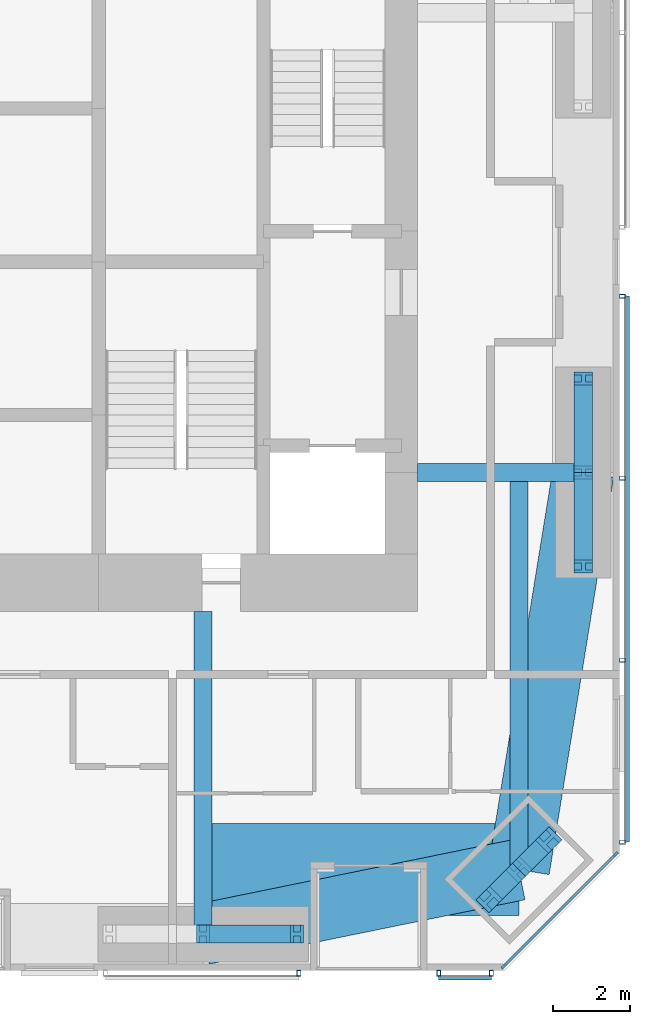
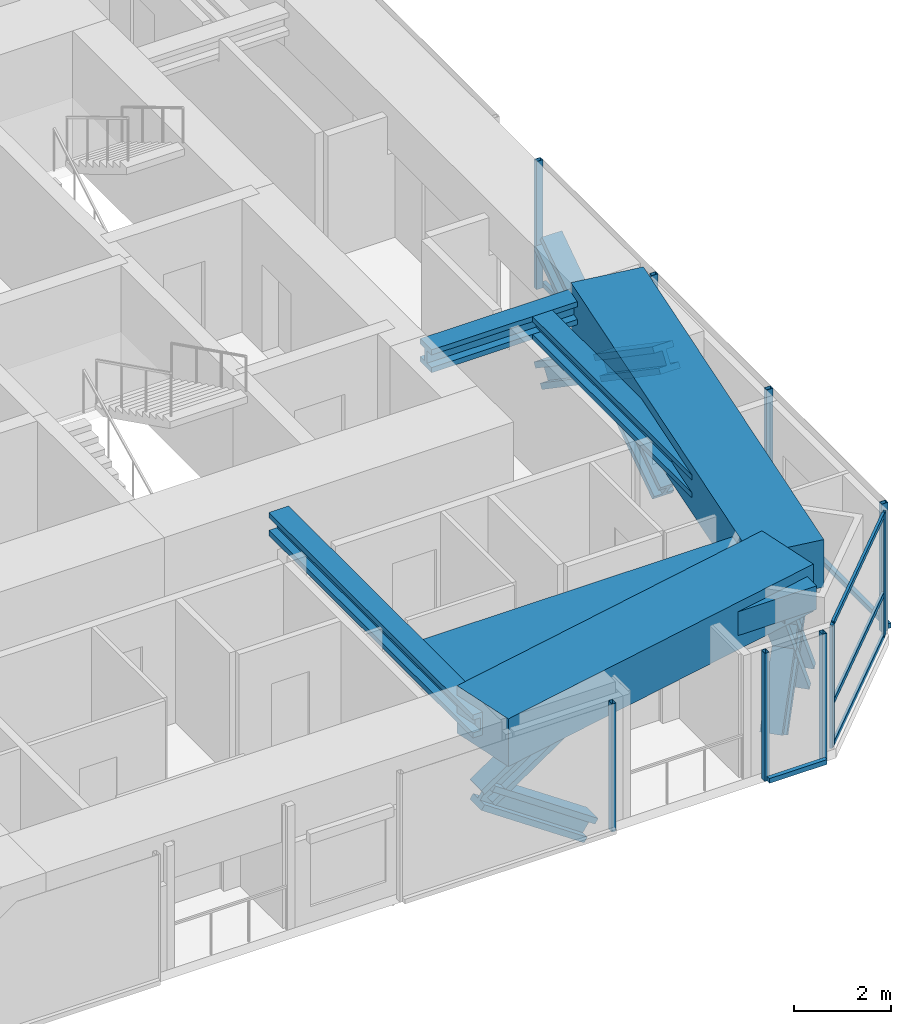
# One storey, part 8 of 23: 24 members, 6 beams, 4 elements without a shape of their own.
"""IFC4 building model written with IfcOpenShell, lengths in metres."""

from ifc_helpers import new_model, si_unit, direction, frame, origin, origin_2d, place, context, subcontext, project, spatial, rectangle, hollow_rectangle, i_section, extrude, material, material_profile, profile_set, type_object, element, aggregate, save


model = new_model("IFC4")

# Units and contexts
model_context = context("Model", 3, precision=1e-05, world=origin(), true_north=direction((0.0, 1.0)))
body_context = subcontext(model_context, "Body", "Model", "MODEL_VIEW")
ifc_project = project(units=[si_unit("LENGTHUNIT", "METRE"), si_unit("AREAUNIT", "SQUARE_METRE"), si_unit("VOLUMEUNIT", "CUBIC_METRE"), si_unit("PLANEANGLEUNIT", "RADIAN"), si_unit("MASSUNIT", "GRAM", prefix="KILO")], contexts=[model_context])

# Site, building, storey
site_placement = place(None, origin())
site = spatial("IfcSite", under=ifc_project, at=site_placement, CompositionType="ELEMENT")
building_placement = place(site_placement, origin())
building = spatial("IfcBuilding", under=site, at=building_placement, Name="Jalousie Tower", CompositionType="ELEMENT")
storey_placement = place(building_placement, frame((0.0, 0.0, 88.10009765625)))
storey = spatial("IfcBuildingStorey", under=building, at=storey_placement, Name="L23", CompositionType="ELEMENT", Elevation=88.10009765625)

# Curtain wall, members
ifc_material_1 = material(Name="Aluminium curtain wall", Category="aluminium")
curtain_wall_type_1 = type_object("IfcCurtainWallType", Name="CORNER WINDOW WALL", PredefinedType="USERDEFINED", material=ifc_material_1)
curtain_wall_1_placement = place(storey_placement, origin())
curtain_wall_1 = element("IfcCurtainWall", 1, at=curtain_wall_1_placement, inside=storey, type_object=curtain_wall_type_1, Name="Corner Window Wall L23 2", ObjectType="CORNER WINDOW WALL", PredefinedType="USERDEFINED")
ifc_material_2 = material(Name="Aluminium mullion", Category="aluminium")
ifc_material_profile_1 = material_profile(ifc_material_2, rectangle(XDim=0.06005859375, YDim=0.14990234375, at=origin_2d()), Name="MULLION 60x150")
ifc_profile_set_1 = profile_set([ifc_material_profile_1], Name="Aluminium mullion")
member_type_1 = type_object("IfcMemberType", Name="CORNER WINDOW WALL MULLION", PredefinedType="MULLION", material=ifc_profile_set_1)
member_1_placement = place(storey_placement, frame((46.469970703125, 0.108642578125, 0.0), z_axis=(0.0, 0.0, 1.0), x_axis=(-0.707106781187, 0.707106781187, 0.0)))
member_1 = element("IfcMember", 2, at=member_1_placement, type_object=member_type_1, Name="CW-C mullion 1", PredefinedType="MULLION", context=body_context, shape_type="SweptSolid", body=[
    extrude(rectangle(XDim=0.06005859375, YDim=0.14990234375, at=origin_2d()), origin(), (0.0, 0.0, 1.0), 3.10986328125),
])
member_2_placement = place(storey_placement, frame((49.391357421875, 3.030029296875, 0.0), z_axis=(0.0, 0.0, 1.0), x_axis=(-0.707106781187, 0.707106781187, 0.0)))
member_2 = element("IfcMember", 3, at=member_2_placement, type_object=member_type_1, Name="CW-C mullion 2", PredefinedType="MULLION", context=body_context, shape_type="SweptSolid", body=[
    extrude(rectangle(XDim=0.06005859375, YDim=0.14990234375, at=origin_2d()), origin(), (0.0, 0.0, 1.0), 3.10986328125),
])
ifc_material_3 = material(Name="Aluminium transom", Category="aluminium")
ifc_material_profile_2 = material_profile(ifc_material_3, rectangle(XDim=0.06005859375, YDim=0.1201171875, at=origin_2d()), Name="TRANSOM 60x120")
ifc_profile_set_2 = profile_set([ifc_material_profile_2], Name="Aluminium transom")
member_type_2 = type_object("IfcMemberType", Name="CORNER WINDOW WALL TRANSOM", PredefinedType="USERDEFINED", material=ifc_profile_set_2)
member_3_placement = place(storey_placement, frame((46.4912109375, 0.1298828125, 0.02978515625), z_axis=(0.707106781187, 0.707106781187, 0.0), x_axis=(-0.707106781187, 0.707106781187, 0.0)))
member_3 = element("IfcMember", 4, at=member_3_placement, type_object=member_type_2, Name="CW-C transom 1.1", ObjectType="TRANSOM", PredefinedType="USERDEFINED", context=body_context, shape_type="SweptSolid", body=[
    extrude(rectangle(XDim=0.06005859375, YDim=0.1201171875, at=origin_2d()), origin(), (0.0, 0.0, 1.0), 4.0712890625),
])
member_4_placement = place(storey_placement, frame((46.4912109375, 0.1298828125, 1.099853515625), z_axis=(0.707106781187, 0.707106781187, 0.0), x_axis=(-0.707106781187, 0.707106781187, 0.0)))
member_4 = element("IfcMember", 5, at=member_4_placement, type_object=member_type_2, Name="CW-C transom 1.2", ObjectType="TRANSOM", PredefinedType="USERDEFINED", context=body_context, shape_type="SweptSolid", body=[
    extrude(rectangle(XDim=0.06005859375, YDim=0.1201171875, at=origin_2d()), origin(), (0.0, 0.0, 1.0), 4.0712890625),
])
member_5_placement = place(storey_placement, frame((46.4912109375, 0.1298828125, 3.079833984375), z_axis=(0.707106781187, 0.707106781187, 0.0), x_axis=(-0.707106781187, 0.707106781187, 0.0)))
member_5 = element("IfcMember", 6, at=member_5_placement, type_object=member_type_2, Name="CW-C transom 1.3", ObjectType="TRANSOM", PredefinedType="USERDEFINED", context=body_context, shape_type="SweptSolid", body=[
    extrude(rectangle(XDim=0.06005859375, YDim=0.1201171875, at=origin_2d()), origin(), (0.0, 0.0, 1.0), 4.0712890625),
])
aggregate(curtain_wall_1, [member_1, member_2, member_3, member_4, member_5])

# Beams
ifc_material_4 = material(Name="Steel ASTM A992 Grade 50", Category="steel")
ifc_material_profile_3 = material_profile(ifc_material_4, i_section(OverallWidth=0.472412109375, OverallDepth=0.5791015625, WebThickness=0.094970703125, FlangeThickness=0.1298828125, at=origin_2d()), Name="W14X808")
ifc_profile_set_3 = profile_set([ifc_material_profile_3], Name="Steel ASTM A992 Grade 50")
beam_type_1 = type_object("IfcBeamType", Name="LEAN COLLECTOR W14X808", PredefinedType="BEAM", material=ifc_profile_set_3)
beam_1_placement = place(storey_placement, frame((38.625, 0.949951171875, 2.8203125), z_axis=(0.0, 1.0, 0.0), x_axis=(-1.0, 0.0, 0.0)))
element("IfcBeam", 7, at=beam_1_placement, inside=storey, type_object=beam_type_1, Name="Lean collector under L24", PredefinedType="BEAM", context=body_context, shape_type="SweptSolid", body=[
    extrude(i_section(OverallWidth=0.472412109375, OverallDepth=0.5791015625, WebThickness=0.094970703125, FlangeThickness=0.1298828125, at=origin_2d()), origin(), (0.0, 0.0, 1.0), 8.425048828125),
])
beam_2_placement = place(storey_placement, frame((48.550048828125, 13.0, 2.8203125), z_axis=(-1.0, 0.0, 0.0), x_axis=(0.0, -1.0, 0.0)))
element("IfcBeam", 8, at=beam_2_placement, inside=storey, type_object=beam_type_1, Name="Lean collector under L24", PredefinedType="BEAM", context=body_context, shape_type="SweptSolid", body=[
    extrude(i_section(OverallWidth=0.472412109375, OverallDepth=0.5791015625, WebThickness=0.094970703125, FlangeThickness=0.1298828125, at=origin_2d()), origin(), (0.0, 0.0, 1.0), 4.324951171875),
])
beam_3_placement = place(storey_placement, frame((46.86865234375, 2.63134765625, 2.8203125), z_axis=(0.0, 1.0, 0.0), x_axis=(-1.0, 0.0, 0.0)))
element("IfcBeam", 9, at=beam_3_placement, inside=storey, type_object=beam_type_1, Name="Lean collector under L24", PredefinedType="BEAM", context=body_context, shape_type="SweptSolid", body=[
    extrude(i_section(OverallWidth=0.472412109375, OverallDepth=0.5791015625, WebThickness=0.094970703125, FlangeThickness=0.1298828125, at=origin_2d()), origin(), (0.0, 0.0, 1.0), 10.36865234375),
])

# Members
ifc_material_5 = material(Name="Steel ASTM A992 Grade 50", Category="steel")
ifc_material_profile_4 = material_profile(ifc_material_5, i_section(OverallWidth=0.4775390625, OverallDepth=0.599365234375, WebThickness=0.10009765625, FlangeThickness=0.139892578125, at=origin_2d()), Name="W14X873")
ifc_profile_set_4 = profile_set([ifc_material_profile_4], Name="Steel ASTM A992 Grade 50")
member_type_3 = type_object("IfcMemberType", Name="PERIMETER BRACE W14X873", PredefinedType="BRACE", material=ifc_profile_set_4)
for number, where, z_axis, x_axis, name in (
    (10, (38.625, 0.949951171875, 1.074951171875), (0.825500916831, 0.0, 0.564400776321), (0.0, 1.0, 0.0), "Perimeter brace 04 L23 part 2"),
    (11, (41.074951171875, 0.949951171875, -0.60009765625), (-0.825500916831, 0.0, 0.564400776321), (0.0, -1.0, 0.0), "Perimeter brace 04 L23 part 3"),
):
    element("IfcMember", number, at=place(storey_placement, frame(where, z_axis=z_axis, x_axis=x_axis)), inside=storey, type_object=member_type_3, Name=name, PredefinedType="BRACE", context=body_context, shape_type="SweptSolid", body=[
        extrude(i_section(OverallWidth=0.4775390625, OverallDepth=0.599365234375, WebThickness=0.10009765625, FlangeThickness=0.139892578125, at=origin_2d()), origin(), (0.0, 0.0, 1.0), 2.9677734375),
    ])
for number, where, z_axis, x_axis, name in (
    (12, (46.0908203125, 1.853515625, -0.60009765625), (0.388148535558, 0.388148535558, 0.835871658024), (-0.707106781187, 0.707106781187, 0.0), "Perimeter brace 05 L23 part 1"),
    (13, (46.86865234375, 2.63134765625, 1.074951171875), (0.388148535558, 0.388148535558, 0.835871658024), (-0.707106781187, 0.707106781187, 0.0), "Perimeter brace 05 L23 part 2"),
    (14, (47.646484375, 3.4091796875, -0.60009765625), (-0.388148535558, -0.388148535558, 0.835871658024), (0.707106781187, -0.707106781187, 0.0), "Perimeter brace 05 L23 part 3"),
    (15, (46.86865234375, 2.63134765625, 1.074951171875), (-0.388148535558, -0.388148535558, 0.835871658024), (0.707106781187, -0.707106781187, 0.0), "Perimeter brace 05 L23 part 4"),
):
    element("IfcMember", number, at=place(storey_placement, frame(where, z_axis=z_axis, x_axis=x_axis)), inside=storey, type_object=member_type_3, Name=name, PredefinedType="BRACE", context=body_context, shape_type="SweptSolid", body=[
        extrude(i_section(OverallWidth=0.4775390625, OverallDepth=0.599365234375, WebThickness=0.10009765625, FlangeThickness=0.139892578125, at=origin_2d()), origin(), (0.0, 0.0, 1.0), 2.00390625),
    ])
for number, where, z_axis, x_axis, name in (
    (16, (48.550048828125, 10.550048828125, -0.60009765625), (0.0, 0.825500916831, 0.564400776321), (-1.0, 0.0, 0.0), "Perimeter brace 06 L23 part 1"),
    (17, (48.550048828125, 13.0, 1.074951171875), (0.0, 0.825500916831, 0.564400776321), (-1.0, 0.0, 0.0), "Perimeter brace 06 L23 part 2"),
    (18, (48.550048828125, 15.449951171875, -0.60009765625), (0.0, -0.825500916831, 0.564400776321), (1.0, 0.0, 0.0), "Perimeter brace 06 L23 part 3"),
    (19, (48.550048828125, 13.0, 1.074951171875), (0.0, -0.825500916831, 0.564400776321), (1.0, 0.0, 0.0), "Perimeter brace 06 L23 part 4"),
):
    element("IfcMember", number, at=place(storey_placement, frame(where, z_axis=z_axis, x_axis=x_axis)), inside=storey, type_object=member_type_3, Name=name, PredefinedType="BRACE", context=body_context, shape_type="SweptSolid", body=[
        extrude(i_section(OverallWidth=0.4775390625, OverallDepth=0.599365234375, WebThickness=0.10009765625, FlangeThickness=0.139892578125, at=origin_2d()), origin(), (0.0, 0.0, 1.0), 2.9677734375),
    ])

# Beams
ifc_material_6 = material(Name="Concrete f'c 40 MPa", Category="concrete")
ifc_material_profile_5 = material_profile(ifc_material_6, rectangle(XDim=1.60009765625, YDim=1.199951171875, at=origin_2d()), Name="RC 1600x1200")
ifc_profile_set_5 = profile_set([ifc_material_profile_5], Name="Concrete f'c 40 MPa")
beam_type_2 = type_object("IfcBeamType", Name="RC BEAM 1600x1200", PredefinedType="BEAM", material=ifc_profile_set_5)
beam_4_placement = place(storey_placement, frame((38.625, 0.949951171875, 2.75), z_axis=(0.97982690954, 0.199848010602, 0.0), x_axis=(-0.199848010602, 0.97982690954, 0.0)))
element("IfcBeam", 20, at=beam_4_placement, inside=storey, type_object=beam_type_2, Name="Edge band beam 04-05 under L24", PredefinedType="BEAM", context=body_context, shape_type="SweptSolid", body=[
    extrude(rectangle(XDim=1.60009765625, YDim=1.199951171875, at=origin_2d()), origin(), (0.0, 0.0, 1.0), 8.413330078125),
])
beam_5_placement = place(storey_placement, frame((46.86865234375, 2.63134765625, 2.75), z_axis=(0.160070546476, 0.987105577003, 0.0), x_axis=(-0.987105577003, 0.160070546476, 0.0)))
element("IfcBeam", 21, at=beam_5_placement, inside=storey, type_object=beam_type_2, Name="Edge band beam 05-06 under L24", PredefinedType="BEAM", context=body_context, shape_type="SweptSolid", body=[
    extrude(rectangle(XDim=1.60009765625, YDim=1.199951171875, at=origin_2d()), origin(), (0.0, 0.0, 1.0), 10.504150390625),
])
ifc_material_7 = material(Name="Concrete f'c 40 MPa", Category="concrete")
ifc_material_profile_6 = material_profile(ifc_material_7, rectangle(XDim=2.39990234375, YDim=0.60009765625, at=origin_2d()), Name="RC 2400x600")
ifc_profile_set_6 = profile_set([ifc_material_profile_6], Name="Concrete f'c 40 MPa")
beam_type_3 = type_object("IfcBeamType", Name="RC BEAM 2400x600", PredefinedType="BEAM", material=ifc_profile_set_6)
beam_6_placement = place(storey_placement, frame((46.86865234375, 2.63134765625, 2.809814453125), z_axis=(-1.0, 0.0, 0.0), x_axis=(0.0, -1.0, 0.0)))
element("IfcBeam", 22, at=beam_6_placement, inside=storey, type_object=beam_type_3, Name="Floor band beam under L24", PredefinedType="BEAM", context=body_context, shape_type="SweptSolid", body=[
    extrude(rectangle(XDim=2.39990234375, YDim=0.60009765625, at=origin_2d()), origin(), (0.0, 0.0, 1.0), 8.24365234375),
])

# Curtain wall, member
ifc_material_8 = material(Name="Perforated aluminium sheet", Category="aluminium")
curtain_wall_type_2 = type_object("IfcCurtainWallType", Name="SOLAR SCREEN SS-1", PredefinedType="USERDEFINED", material=ifc_material_8)
curtain_wall_2_placement = place(storey_placement, origin())
curtain_wall_2 = element("IfcCurtainWall", 23, at=curtain_wall_2_placement, inside=storey, type_object=curtain_wall_type_2, Name="Solar screen L23", ObjectType="SOLAR SCREEN SS-1", PredefinedType="USERDEFINED")
ifc_material_9 = material(Name="Steel ASTM A500 Grade C", Category="steel")
ifc_material_profile_7 = material_profile(ifc_material_9, hollow_rectangle(XDim=0.1015625, YDim=0.15234375, WallThickness=0.00634765625, at=origin_2d()), Name="HSS6X4X1/4")
ifc_profile_set_7 = profile_set([ifc_material_profile_7], Name="Steel ASTM A500 Grade C")
member_type_4 = type_object("IfcMemberType", Name="SOLAR SCREEN SS-1 MULLION", PredefinedType="MULLION", material=ifc_profile_set_7)
member_6_placement = place(storey_placement, frame((41.125, -0.0712890625, -0.1201171875), z_axis=(0.0, 0.0, 1.0), x_axis=(1.0, 0.0, 0.0)))
member_6 = element("IfcMember", 24, at=member_6_placement, type_object=member_type_4, Name="SS1 post 2", PredefinedType="MULLION", context=body_context, shape_type="SweptSolid", body=[
    extrude(hollow_rectangle(XDim=0.1015625, YDim=0.15234375, WallThickness=0.00634765625, at=origin_2d()), origin(), (0.0, 0.0, 1.0), 3.22998046875),
])
aggregate(curtain_wall_2, [member_6])

# Curtain wall, members
curtain_wall_3_placement = place(storey_placement, origin())
curtain_wall_3 = element("IfcCurtainWall", 25, at=curtain_wall_3_placement, inside=storey, type_object=curtain_wall_type_2, Name="Solar screen L23", ObjectType="SOLAR SCREEN SS-1", PredefinedType="USERDEFINED")
member_7_placement = place(storey_placement, frame((44.77490234375, -0.0712890625, -0.1201171875), z_axis=(0.0, 0.0, 1.0), x_axis=(1.0, 0.0, 0.0)))
member_7 = element("IfcMember", 26, at=member_7_placement, type_object=member_type_4, Name="SS1 post 1", PredefinedType="MULLION", context=body_context, shape_type="SweptSolid", body=[
    extrude(hollow_rectangle(XDim=0.1015625, YDim=0.15234375, WallThickness=0.00634765625, at=origin_2d()), origin(), (0.0, 0.0, 1.0), 3.22998046875),
])
member_8_placement = place(storey_placement, frame((46.148681640625, -0.0712890625, -0.1201171875), z_axis=(0.0, 0.0, 1.0), x_axis=(1.0, 0.0, 0.0)))
member_8 = element("IfcMember", 27, at=member_8_placement, type_object=member_type_4, Name="SS1 post 2", PredefinedType="MULLION", context=body_context, shape_type="SweptSolid", body=[
    extrude(hollow_rectangle(XDim=0.1015625, YDim=0.15234375, WallThickness=0.00634765625, at=origin_2d()), origin(), (0.0, 0.0, 1.0), 3.22998046875),
])

curtain_wall_4_placement = place(storey_placement, origin())
curtain_wall_4 = element("IfcCurtainWall", 28, at=curtain_wall_4_placement, inside=storey, type_object=curtain_wall_type_2, Name="Solar screen L23", ObjectType="SOLAR SCREEN SS-1", PredefinedType="USERDEFINED")
member_9_placement = place(storey_placement, frame((49.5712890625, 3.351318359375, -0.1201171875), z_axis=(0.0, 0.0, 1.0), x_axis=(0.0, 1.0, 0.0)))
member_9 = element("IfcMember", 29, at=member_9_placement, type_object=member_type_4, Name="SS1 post 1", PredefinedType="MULLION", context=body_context, shape_type="SweptSolid", body=[
    extrude(hollow_rectangle(XDim=0.1015625, YDim=0.15234375, WallThickness=0.00634765625, at=origin_2d()), origin(), (0.0, 0.0, 1.0), 3.22998046875),
])
member_10_placement = place(storey_placement, frame((49.5712890625, 8.100830078125, -0.1201171875), z_axis=(0.0, 0.0, 1.0), x_axis=(0.0, 1.0, 0.0)))
member_10 = element("IfcMember", 30, at=member_10_placement, type_object=member_type_4, Name="SS1 post 2", PredefinedType="MULLION", context=body_context, shape_type="SweptSolid", body=[
    extrude(hollow_rectangle(XDim=0.1015625, YDim=0.15234375, WallThickness=0.00634765625, at=origin_2d()), origin(), (0.0, 0.0, 1.0), 3.22998046875),
])
member_11_placement = place(storey_placement, frame((49.5712890625, 12.850341796875, -0.1201171875), z_axis=(0.0, 0.0, 1.0), x_axis=(0.0, 1.0, 0.0)))
member_11 = element("IfcMember", 31, at=member_11_placement, type_object=member_type_4, Name="SS1 post 3", PredefinedType="MULLION", context=body_context, shape_type="SweptSolid", body=[
    extrude(hollow_rectangle(XDim=0.1015625, YDim=0.15234375, WallThickness=0.00634765625, at=origin_2d()), origin(), (0.0, 0.0, 1.0), 3.22998046875),
])
member_12_placement = place(storey_placement, frame((49.5712890625, 17.60009765625, -0.1201171875), z_axis=(0.0, 0.0, 1.0), x_axis=(0.0, 1.0, 0.0)))
member_12 = element("IfcMember", 32, at=member_12_placement, type_object=member_type_4, Name="SS1 post 4", PredefinedType="MULLION", context=body_context, shape_type="SweptSolid", body=[
    extrude(hollow_rectangle(XDim=0.1015625, YDim=0.15234375, WallThickness=0.00634765625, at=origin_2d()), origin(), (0.0, 0.0, 1.0), 3.22998046875),
])

# Member
ifc_material_10 = material(Name="Extruded aluminium screen rail", Category="aluminium")
ifc_material_profile_8 = material_profile(ifc_material_10, rectangle(XDim=0.1015625, YDim=0.1201171875, at=origin_2d()), Name="RAIL 102x120")
ifc_profile_set_8 = profile_set([ifc_material_profile_8], Name="Extruded aluminium screen rail")
member_type_5 = type_object("IfcMemberType", Name="SOLAR SCREEN SS-1 TRANSOM", PredefinedType="USERDEFINED", material=ifc_profile_set_8)
member_13_placement = place(storey_placement, frame((44.77490234375, -0.1982421875, -0.06005859375), z_axis=(1.0, 0.0, 0.0), x_axis=(0.0, 1.0, 0.0)))
member_13 = element("IfcMember", 33, at=member_13_placement, type_object=member_type_5, Name="SS1 rail", ObjectType="TRANSOM", PredefinedType="USERDEFINED", context=body_context, shape_type="SweptSolid", body=[
    extrude(rectangle(XDim=0.1015625, YDim=0.1201171875, at=origin_2d()), origin(), (0.0, 0.0, 1.0), 1.373779296875),
])

aggregate(curtain_wall_3, [member_7, member_8, member_13])

member_14_placement = place(storey_placement, frame((49.6982421875, 3.351318359375, -0.06005859375), z_axis=(0.0, 1.0, 0.0), x_axis=(-1.0, 0.0, 0.0)))
member_14 = element("IfcMember", 34, at=member_14_placement, type_object=member_type_5, Name="SS1 rail", ObjectType="TRANSOM", PredefinedType="USERDEFINED", context=body_context, shape_type="SweptSolid", body=[
    extrude(rectangle(XDim=0.1015625, YDim=0.1201171875, at=origin_2d()), origin(), (0.0, 0.0, 1.0), 14.248779296875),
])

aggregate(curtain_wall_4, [member_9, member_10, member_11, member_12, member_14])

save(model, "model.ifc")
